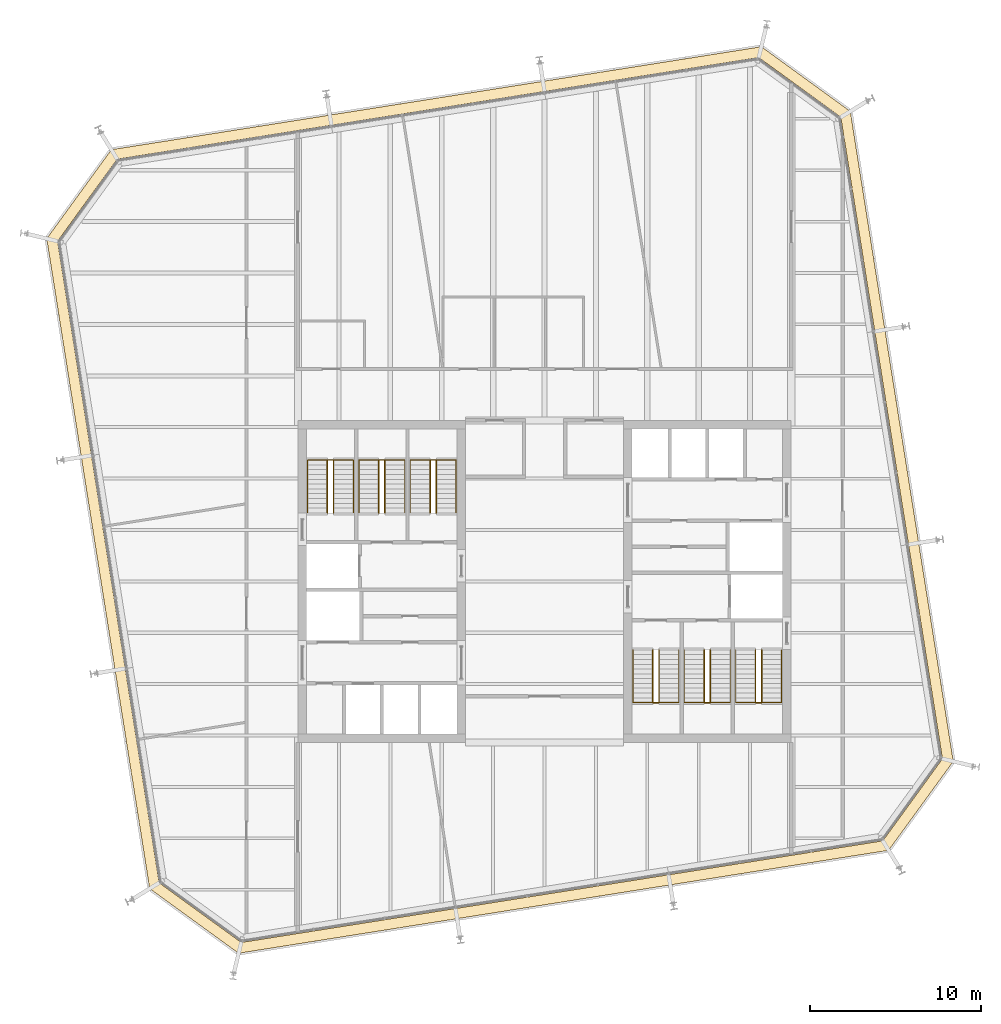
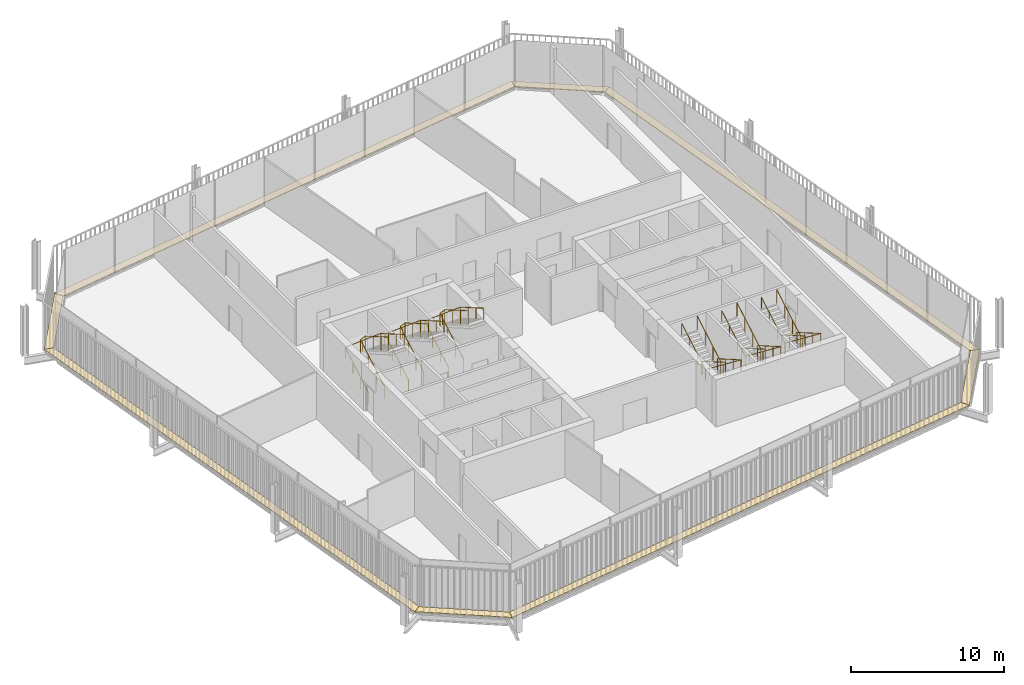
# One storey, part 20 of 20: 12 railings, 8 coverings.
"""IFC4 building model written with IfcOpenShell, lengths in metres."""

from ifc_helpers import new_model, si_unit, direction, frame, origin, origin_2d, place, context, subcontext, project, spatial, polyline, circle, outline, extrude, material, layer, layer_set, type_object, element, save


model = new_model("IFC4")

# Units and contexts
model_context = context("Model", 3, precision=1e-05, world=origin(), true_north=direction((0.0, 1.0)))
body_context = subcontext(model_context, "Body", "Model", "MODEL_VIEW")
ifc_project = project(units=[si_unit("LENGTHUNIT", "METRE"), si_unit("AREAUNIT", "SQUARE_METRE"), si_unit("VOLUMEUNIT", "CUBIC_METRE"), si_unit("PLANEANGLEUNIT", "RADIAN"), si_unit("MASSUNIT", "GRAM", prefix="KILO")], contexts=[model_context])

# Site, building, storey
site_placement = place(None, origin())
site = spatial("IfcSite", under=ifc_project, at=site_placement, CompositionType="ELEMENT")
building_placement = place(site_placement, origin())
building = spatial("IfcBuilding", under=site, at=building_placement, Name="Millrace Tower", CompositionType="ELEMENT")
storey_placement = place(building_placement, frame((0.0, 0.0, 208.60009765625)))
storey = spatial("IfcBuildingStorey", under=building, at=storey_placement, Name="L47", CompositionType="ELEMENT", Elevation=208.60009765625)

# Coverings
ifc_material_1 = material(Name="Steel ASTM A36", Category="steel")
ifc_layer = layer(ifc_material_1, 0.050048828125)
ifc_layer_set = layer_set([ifc_layer], Name="Steel ASTM A36")
covering_type = type_object("IfcCoveringType", Name="CAVITY CATWALK steel grating", PredefinedType="FLOORING", material=ifc_layer_set)
placement = place(storey_placement, frame((0.0, 0.0, 0.099853515625)))
element("IfcCovering", 1, at=placement, inside=storey, type_object=covering_type, Name="Cavity catwalk grating D-F01 L47 1", PredefinedType="FLOORING", context=body_context, shape_type="SweptSolid", body=[
    extrude(outline(polyline([(-23.052490234375, -17.939453125), (-17.85888671875, -21.712890625), (-17.707275390625, -21.081298828125), (-22.49853515625, -17.60009765625), (-23.052490234375, -17.939453125)])), origin(), (0.0, 0.0, 1.0), 0.050048828125),
])
element("IfcCovering", 2, at=placement, inside=storey, type_object=covering_type, Name="Cavity catwalk grating D-F02 L47 1", PredefinedType="FLOORING", context=body_context, shape_type="SweptSolid", body=[
    extrude(outline(polyline([(-17.85888671875, -21.712890625), (20.08935546875, -15.702392578125), (19.750244140625, -15.148681640625), (-17.707275390625, -21.081298828125), (-17.85888671875, -21.712890625)])), origin(), (0.0, 0.0, 1.0), 0.050048828125),
])
element("IfcCovering", 3, at=placement, inside=storey, type_object=covering_type, Name="Cavity catwalk grating D-F03 L47 1", PredefinedType="FLOORING", context=body_context, shape_type="SweptSolid", body=[
    extrude(outline(polyline([(20.08935546875, -15.702392578125), (23.86279296875, -10.5087890625), (23.231201171875, -10.357177734375), (19.750244140625, -15.148681640625), (20.08935546875, -15.702392578125)])), origin(), (0.0, 0.0, 1.0), 0.050048828125),
])
element("IfcCovering", 4, at=placement, inside=storey, type_object=covering_type, Name="Cavity catwalk grating D-F04 L47 1", PredefinedType="FLOORING", context=body_context, shape_type="SweptSolid", body=[
    extrude(outline(polyline([(23.86279296875, -10.5087890625), (17.852294921875, 27.439453125), (17.298583984375, 27.10009765625), (23.231201171875, -10.357177734375), (23.86279296875, -10.5087890625)])), origin(), (0.0, 0.0, 1.0), 0.050048828125),
])
element("IfcCovering", 5, at=placement, inside=storey, type_object=covering_type, Name="Cavity catwalk grating D-F05 L47 1", PredefinedType="FLOORING", context=body_context, shape_type="SweptSolid", body=[
    extrude(outline(polyline([(17.852294921875, 27.439453125), (12.658935546875, 31.212890625), (12.50732421875, 30.581298828125), (17.298583984375, 27.10009765625), (17.852294921875, 27.439453125)])), origin(), (0.0, 0.0, 1.0), 0.050048828125),
])
element("IfcCovering", 6, at=placement, inside=storey, type_object=covering_type, Name="Cavity catwalk grating D-F06 L47 1", PredefinedType="FLOORING", context=body_context, shape_type="SweptSolid", body=[
    extrude(outline(polyline([(12.658935546875, 31.212890625), (-25.28955078125, 25.202392578125), (-24.9501953125, 24.648681640625), (12.50732421875, 30.581298828125), (12.658935546875, 31.212890625)])), origin(), (0.0, 0.0, 1.0), 0.050048828125),
])
element("IfcCovering", 7, at=placement, inside=storey, type_object=covering_type, Name="Cavity catwalk grating D-F07 L47 1", PredefinedType="FLOORING", context=body_context, shape_type="SweptSolid", body=[
    extrude(outline(polyline([(-25.28955078125, 25.202392578125), (-29.062744140625, 20.0087890625), (-28.431396484375, 19.857177734375), (-24.9501953125, 24.648681640625), (-25.28955078125, 25.202392578125)])), origin(), (0.0, 0.0, 1.0), 0.050048828125),
])
element("IfcCovering", 8, at=placement, inside=storey, type_object=covering_type, Name="Cavity catwalk grating D-F08 L47 1", PredefinedType="FLOORING", context=body_context, shape_type="SweptSolid", body=[
    extrude(outline(polyline([(-29.062744140625, 20.0087890625), (-23.052490234375, -17.939453125), (-22.49853515625, -17.60009765625), (-28.431396484375, 19.857177734375), (-29.062744140625, 20.0087890625)])), origin(), (0.0, 0.0, 1.0), 0.050048828125),
])

# Railings
ifc_material_2 = material(Name="Stainless steel ASTM A240 type 316", Category="steel")
railing_type_1 = type_object("IfcRailingType", Name="Stair guard 1100", PredefinedType="GUARDRAIL", material=ifc_material_2)
for number, where, name in (
    (9, (-12.679931640625, 4.0, 0.162353515625), "Stair guard 1 W L47"),
    (10, (-9.679931640625, 4.0, 0.162353515625), "Stair guard 2 W L47"),
    (11, (-6.679931640625, 4.0, 0.162353515625), "Stair guard 3 W L47"),
):
    element("IfcRailing", number, at=place(storey_placement, frame(where)), inside=storey, type_object=railing_type_1, Name=name, PredefinedType="GUARDRAIL", context=body_context, shape_type="SweptSolid", body=[
        extrude(circle(Radius=0.02392578125, at=origin_2d()), frame((0.0, 0.0, 1.076171875), z_axis=(0.0, 0.864890721111, 0.501960198159), x_axis=(-1.0, 0.0, 0.0)), (0.0, 0.0, 1.0), 3.561279296875),
        extrude(circle(Radius=0.02392578125, at=origin_2d()), frame((0.0, 3.080078125, 2.86376953125), z_axis=(0.91152767309, 0.0, 0.411238739895), x_axis=(0.0, 1.0, 0.0)), (0.0, 0.0, 1.0), 0.394775390625),
        extrude(circle(Radius=0.02392578125, at=origin_2d()), frame((0.35986328125, 3.080078125, 3.02587890625), z_axis=(0.0, -0.864890721111, 0.501960198159), x_axis=(1.0, 0.0, 0.0)), (0.0, 0.0, 1.0), 3.561279296875),
        extrude(circle(Radius=0.02099609375, at=origin_2d()), origin(), (0.0, 0.0, 1.0), 1.052001953125),
        extrude(circle(Radius=0.02099609375, at=origin_2d()), frame((0.0, 1.026611328125, 0.595947265625)), (0.0, 0.0, 1.0), 1.052001953125),
        extrude(circle(Radius=0.02099609375, at=origin_2d()), frame((0.0, 2.053466796875, 1.191650390625)), (0.0, 0.0, 1.0), 1.052001953125),
        extrude(circle(Radius=0.02099609375, at=origin_2d()), frame((0.0, 3.080078125, 1.78759765625)), (0.0, 0.0, 1.0), 1.052001953125),
        extrude(circle(Radius=0.02099609375, at=origin_2d()), frame((0.35986328125, 3.080078125, 1.949951171875)), (0.0, 0.0, 1.0), 1.052001953125),
        extrude(circle(Radius=0.02099609375, at=origin_2d()), frame((0.35986328125, 2.053466796875, 2.5458984375)), (0.0, 0.0, 1.0), 1.052001953125),
        extrude(circle(Radius=0.02099609375, at=origin_2d()), frame((0.35986328125, 1.026611328125, 3.1416015625)), (0.0, 0.0, 1.0), 1.052001953125),
        extrude(circle(Radius=0.02099609375, at=origin_2d()), frame((0.35986328125, 0.0, 3.737548828125)), (0.0, 0.0, 1.0), 1.052001953125),
    ])
for number, where, name in (
    (12, (12.679931640625, -4.0, 0.162353515625), "Stair guard 1 E L47"),
    (13, (9.679931640625, -4.0, 0.162353515625), "Stair guard 2 E L47"),
    (14, (6.679931640625, -4.0, 0.162353515625), "Stair guard 3 E L47"),
):
    element("IfcRailing", number, at=place(storey_placement, frame(where)), inside=storey, type_object=railing_type_1, Name=name, PredefinedType="GUARDRAIL", context=body_context, shape_type="SweptSolid", body=[
        extrude(circle(Radius=0.02392578125, at=origin_2d()), frame((0.0, 0.0, 1.076171875), z_axis=(0.0, -0.864890721111, 0.501960198159), x_axis=(1.0, 0.0, 0.0)), (0.0, 0.0, 1.0), 3.561279296875),
        extrude(circle(Radius=0.02392578125, at=origin_2d()), frame((0.0, -3.080078125, 2.86376953125), z_axis=(-0.91152767309, 0.0, 0.411238739895), x_axis=(0.0, -1.0, 0.0)), (0.0, 0.0, 1.0), 0.394775390625),
        extrude(circle(Radius=0.02392578125, at=origin_2d()), frame((-0.35986328125, -3.080078125, 3.02587890625), z_axis=(0.0, 0.864890721111, 0.501960198159), x_axis=(-1.0, 0.0, 0.0)), (0.0, 0.0, 1.0), 3.561279296875),
        extrude(circle(Radius=0.02099609375, at=origin_2d()), origin(), (0.0, 0.0, 1.0), 1.052001953125),
        extrude(circle(Radius=0.02099609375, at=origin_2d()), frame((0.0, -1.026611328125, 0.595947265625)), (0.0, 0.0, 1.0), 1.052001953125),
        extrude(circle(Radius=0.02099609375, at=origin_2d()), frame((0.0, -2.053466796875, 1.191650390625)), (0.0, 0.0, 1.0), 1.052001953125),
        extrude(circle(Radius=0.02099609375, at=origin_2d()), frame((0.0, -3.080078125, 1.78759765625)), (0.0, 0.0, 1.0), 1.052001953125),
        extrude(circle(Radius=0.02099609375, at=origin_2d()), frame((-0.35986328125, -3.080078125, 1.949951171875)), (0.0, 0.0, 1.0), 1.052001953125),
        extrude(circle(Radius=0.02099609375, at=origin_2d()), frame((-0.35986328125, -2.053466796875, 2.5458984375)), (0.0, 0.0, 1.0), 1.052001953125),
        extrude(circle(Radius=0.02099609375, at=origin_2d()), frame((-0.35986328125, -1.026611328125, 3.1416015625)), (0.0, 0.0, 1.0), 1.052001953125),
        extrude(circle(Radius=0.02099609375, at=origin_2d()), frame((-0.35986328125, 0.0, 3.737548828125)), (0.0, 0.0, 1.0), 1.052001953125),
    ])
ifc_material_3 = material(Name="Stainless steel ASTM A240 type 316", Category="steel")
railing_type_2 = type_object("IfcRailingType", Name="Stair handrail 900", PredefinedType="HANDRAIL", material=ifc_material_3)
railing_1_placement = place(storey_placement, frame((-13.840087890625, 4.0, 0.162353515625)))
element("IfcRailing", 15, at=railing_1_placement, inside=storey, type_object=railing_type_2, Name="Stair handrail 1 W L47", PredefinedType="HANDRAIL", context=body_context, shape_type="SweptSolid", body=[
    extrude(circle(Radius=0.02392578125, at=origin_2d()), frame((0.0, 0.0, 0.8759765625), z_axis=(0.0, 0.864890721111, 0.501960198159), x_axis=(-1.0, 0.0, 0.0)), (0.0, 0.0, 1.0), 3.561279296875),
    extrude(circle(Radius=0.02392578125, at=origin_2d()), frame((0.0, 3.080078125, 2.66357421875), z_axis=(0.998170326313, 0.0, 0.06046486309), x_axis=(0.0, 1.0, 0.0)), (0.0, 0.0, 1.0), 2.68505859375),
    extrude(circle(Radius=0.02392578125, at=origin_2d()), frame((2.68017578125, 3.080078125, 2.82568359375), z_axis=(0.0, -0.864890721111, 0.501960198159), x_axis=(1.0, 0.0, 0.0)), (0.0, 0.0, 1.0), 3.561279296875),
    extrude(circle(Radius=0.02099609375, at=origin_2d()), origin(), (0.0, 0.0, 1.0), 0.851806640625),
    extrude(circle(Radius=0.02099609375, at=origin_2d()), frame((0.0, 1.026611328125, 0.595947265625)), (0.0, 0.0, 1.0), 0.851806640625),
    extrude(circle(Radius=0.02099609375, at=origin_2d()), frame((0.0, 2.053466796875, 1.191650390625)), (0.0, 0.0, 1.0), 0.851806640625),
    extrude(circle(Radius=0.02099609375, at=origin_2d()), frame((0.0, 3.080078125, 1.78759765625)), (0.0, 0.0, 1.0), 0.851806640625),
    extrude(circle(Radius=0.02099609375, at=origin_2d()), frame((1.340087890625, 3.080078125, 1.86865234375)), (0.0, 0.0, 1.0), 0.851806640625),
    extrude(circle(Radius=0.02099609375, at=origin_2d()), frame((2.68017578125, 3.080078125, 1.949951171875)), (0.0, 0.0, 1.0), 0.851806640625),
    extrude(circle(Radius=0.02099609375, at=origin_2d()), frame((2.68017578125, 2.053466796875, 2.5458984375)), (0.0, 0.0, 1.0), 0.851806640625),
    extrude(circle(Radius=0.02099609375, at=origin_2d()), frame((2.68017578125, 1.026611328125, 3.1416015625)), (0.0, 0.0, 1.0), 0.851806640625),
    extrude(circle(Radius=0.02099609375, at=origin_2d()), frame((2.68017578125, 0.0, 3.737548828125)), (0.0, 0.0, 1.0), 0.851806640625),
])
railing_2_placement = place(storey_placement, frame((-10.840087890625, 4.0, 0.162353515625)))
element("IfcRailing", 16, at=railing_2_placement, inside=storey, type_object=railing_type_2, Name="Stair handrail 2 W L47", PredefinedType="HANDRAIL", context=body_context, shape_type="SweptSolid", body=[
    extrude(circle(Radius=0.02392578125, at=origin_2d()), frame((0.0, 0.0, 0.8759765625), z_axis=(0.0, 0.864890721111, 0.501960198159), x_axis=(-1.0, 0.0, 0.0)), (0.0, 0.0, 1.0), 3.561279296875),
    extrude(circle(Radius=0.02392578125, at=origin_2d()), frame((0.0, 3.080078125, 2.66357421875), z_axis=(0.998170326313, 0.0, 0.06046486309), x_axis=(0.0, 1.0, 0.0)), (0.0, 0.0, 1.0), 2.68505859375),
    extrude(circle(Radius=0.02392578125, at=origin_2d()), frame((2.68017578125, 3.080078125, 2.82568359375), z_axis=(0.0, -0.864890721111, 0.501960198159), x_axis=(1.0, 0.0, 0.0)), (0.0, 0.0, 1.0), 3.561279296875),
    extrude(circle(Radius=0.02099609375, at=origin_2d()), origin(), (0.0, 0.0, 1.0), 0.851806640625),
    extrude(circle(Radius=0.02099609375, at=origin_2d()), frame((0.0, 1.026611328125, 0.595947265625)), (0.0, 0.0, 1.0), 0.851806640625),
    extrude(circle(Radius=0.02099609375, at=origin_2d()), frame((0.0, 2.053466796875, 1.191650390625)), (0.0, 0.0, 1.0), 0.851806640625),
    extrude(circle(Radius=0.02099609375, at=origin_2d()), frame((0.0, 3.080078125, 1.78759765625)), (0.0, 0.0, 1.0), 0.851806640625),
    extrude(circle(Radius=0.02099609375, at=origin_2d()), frame((1.340087890625, 3.080078125, 1.86865234375)), (0.0, 0.0, 1.0), 0.851806640625),
    extrude(circle(Radius=0.02099609375, at=origin_2d()), frame((2.68017578125, 3.080078125, 1.949951171875)), (0.0, 0.0, 1.0), 0.851806640625),
    extrude(circle(Radius=0.02099609375, at=origin_2d()), frame((2.68017578125, 2.053466796875, 2.5458984375)), (0.0, 0.0, 1.0), 0.851806640625),
    extrude(circle(Radius=0.02099609375, at=origin_2d()), frame((2.68017578125, 1.026611328125, 3.1416015625)), (0.0, 0.0, 1.0), 0.851806640625),
    extrude(circle(Radius=0.02099609375, at=origin_2d()), frame((2.68017578125, 0.0, 3.737548828125)), (0.0, 0.0, 1.0), 0.851806640625),
])
railing_3_placement = place(storey_placement, frame((-7.840087890625, 4.0, 0.162353515625)))
element("IfcRailing", 17, at=railing_3_placement, inside=storey, type_object=railing_type_2, Name="Stair handrail 3 W L47", PredefinedType="HANDRAIL", context=body_context, shape_type="SweptSolid", body=[
    extrude(circle(Radius=0.02392578125, at=origin_2d()), frame((0.0, 0.0, 0.8759765625), z_axis=(0.0, 0.864890721111, 0.501960198159), x_axis=(-1.0, 0.0, 0.0)), (0.0, 0.0, 1.0), 3.561279296875),
    extrude(circle(Radius=0.02392578125, at=origin_2d()), frame((0.0, 3.080078125, 2.66357421875), z_axis=(0.998170326313, 0.0, 0.06046486309), x_axis=(0.0, 1.0, 0.0)), (0.0, 0.0, 1.0), 2.68505859375),
    extrude(circle(Radius=0.02392578125, at=origin_2d()), frame((2.68017578125, 3.080078125, 2.82568359375), z_axis=(0.0, -0.864890721111, 0.501960198159), x_axis=(1.0, 0.0, 0.0)), (0.0, 0.0, 1.0), 3.561279296875),
    extrude(circle(Radius=0.02099609375, at=origin_2d()), origin(), (0.0, 0.0, 1.0), 0.851806640625),
    extrude(circle(Radius=0.02099609375, at=origin_2d()), frame((0.0, 1.026611328125, 0.595947265625)), (0.0, 0.0, 1.0), 0.851806640625),
    extrude(circle(Radius=0.02099609375, at=origin_2d()), frame((0.0, 2.053466796875, 1.191650390625)), (0.0, 0.0, 1.0), 0.851806640625),
    extrude(circle(Radius=0.02099609375, at=origin_2d()), frame((0.0, 3.080078125, 1.78759765625)), (0.0, 0.0, 1.0), 0.851806640625),
    extrude(circle(Radius=0.02099609375, at=origin_2d()), frame((1.340087890625, 3.080078125, 1.86865234375)), (0.0, 0.0, 1.0), 0.851806640625),
    extrude(circle(Radius=0.02099609375, at=origin_2d()), frame((2.68017578125, 3.080078125, 1.949951171875)), (0.0, 0.0, 1.0), 0.851806640625),
    extrude(circle(Radius=0.02099609375, at=origin_2d()), frame((2.68017578125, 2.053466796875, 2.5458984375)), (0.0, 0.0, 1.0), 0.851806640625),
    extrude(circle(Radius=0.02099609375, at=origin_2d()), frame((2.68017578125, 1.026611328125, 3.1416015625)), (0.0, 0.0, 1.0), 0.851806640625),
    extrude(circle(Radius=0.02099609375, at=origin_2d()), frame((2.68017578125, 0.0, 3.737548828125)), (0.0, 0.0, 1.0), 0.851806640625),
])
railing_4_placement = place(storey_placement, frame((13.840087890625, -4.0, 0.162353515625)))
element("IfcRailing", 18, at=railing_4_placement, inside=storey, type_object=railing_type_2, Name="Stair handrail 1 E L47", PredefinedType="HANDRAIL", context=body_context, shape_type="SweptSolid", body=[
    extrude(circle(Radius=0.02392578125, at=origin_2d()), frame((0.0, 0.0, 0.8759765625), z_axis=(0.0, -0.864890721111, 0.501960198159), x_axis=(1.0, 0.0, 0.0)), (0.0, 0.0, 1.0), 3.561279296875),
    extrude(circle(Radius=0.02392578125, at=origin_2d()), frame((0.0, -3.080078125, 2.66357421875), z_axis=(-0.998170326313, 0.0, 0.06046486309), x_axis=(0.0, -1.0, 0.0)), (0.0, 0.0, 1.0), 2.68505859375),
    extrude(circle(Radius=0.02392578125, at=origin_2d()), frame((-2.68017578125, -3.080078125, 2.82568359375), z_axis=(0.0, 0.864890721111, 0.501960198159), x_axis=(-1.0, 0.0, 0.0)), (0.0, 0.0, 1.0), 3.561279296875),
    extrude(circle(Radius=0.02099609375, at=origin_2d()), origin(), (0.0, 0.0, 1.0), 0.851806640625),
    extrude(circle(Radius=0.02099609375, at=origin_2d()), frame((0.0, -1.026611328125, 0.595947265625)), (0.0, 0.0, 1.0), 0.851806640625),
    extrude(circle(Radius=0.02099609375, at=origin_2d()), frame((0.0, -2.053466796875, 1.191650390625)), (0.0, 0.0, 1.0), 0.851806640625),
    extrude(circle(Radius=0.02099609375, at=origin_2d()), frame((0.0, -3.080078125, 1.78759765625)), (0.0, 0.0, 1.0), 0.851806640625),
    extrude(circle(Radius=0.02099609375, at=origin_2d()), frame((-1.340087890625, -3.080078125, 1.86865234375)), (0.0, 0.0, 1.0), 0.851806640625),
    extrude(circle(Radius=0.02099609375, at=origin_2d()), frame((-2.68017578125, -3.080078125, 1.949951171875)), (0.0, 0.0, 1.0), 0.851806640625),
    extrude(circle(Radius=0.02099609375, at=origin_2d()), frame((-2.68017578125, -2.053466796875, 2.5458984375)), (0.0, 0.0, 1.0), 0.851806640625),
    extrude(circle(Radius=0.02099609375, at=origin_2d()), frame((-2.68017578125, -1.026611328125, 3.1416015625)), (0.0, 0.0, 1.0), 0.851806640625),
    extrude(circle(Radius=0.02099609375, at=origin_2d()), frame((-2.68017578125, 0.0, 3.737548828125)), (0.0, 0.0, 1.0), 0.851806640625),
])
railing_5_placement = place(storey_placement, frame((10.840087890625, -4.0, 0.162353515625)))
element("IfcRailing", 19, at=railing_5_placement, inside=storey, type_object=railing_type_2, Name="Stair handrail 2 E L47", PredefinedType="HANDRAIL", context=body_context, shape_type="SweptSolid", body=[
    extrude(circle(Radius=0.02392578125, at=origin_2d()), frame((0.0, 0.0, 0.8759765625), z_axis=(0.0, -0.864890721111, 0.501960198159), x_axis=(1.0, 0.0, 0.0)), (0.0, 0.0, 1.0), 3.561279296875),
    extrude(circle(Radius=0.02392578125, at=origin_2d()), frame((0.0, -3.080078125, 2.66357421875), z_axis=(-0.998170326313, 0.0, 0.06046486309), x_axis=(0.0, -1.0, 0.0)), (0.0, 0.0, 1.0), 2.68505859375),
    extrude(circle(Radius=0.02392578125, at=origin_2d()), frame((-2.68017578125, -3.080078125, 2.82568359375), z_axis=(0.0, 0.864890721111, 0.501960198159), x_axis=(-1.0, 0.0, 0.0)), (0.0, 0.0, 1.0), 3.561279296875),
    extrude(circle(Radius=0.02099609375, at=origin_2d()), origin(), (0.0, 0.0, 1.0), 0.851806640625),
    extrude(circle(Radius=0.02099609375, at=origin_2d()), frame((0.0, -1.026611328125, 0.595947265625)), (0.0, 0.0, 1.0), 0.851806640625),
    extrude(circle(Radius=0.02099609375, at=origin_2d()), frame((0.0, -2.053466796875, 1.191650390625)), (0.0, 0.0, 1.0), 0.851806640625),
    extrude(circle(Radius=0.02099609375, at=origin_2d()), frame((0.0, -3.080078125, 1.78759765625)), (0.0, 0.0, 1.0), 0.851806640625),
    extrude(circle(Radius=0.02099609375, at=origin_2d()), frame((-1.340087890625, -3.080078125, 1.86865234375)), (0.0, 0.0, 1.0), 0.851806640625),
    extrude(circle(Radius=0.02099609375, at=origin_2d()), frame((-2.68017578125, -3.080078125, 1.949951171875)), (0.0, 0.0, 1.0), 0.851806640625),
    extrude(circle(Radius=0.02099609375, at=origin_2d()), frame((-2.68017578125, -2.053466796875, 2.5458984375)), (0.0, 0.0, 1.0), 0.851806640625),
    extrude(circle(Radius=0.02099609375, at=origin_2d()), frame((-2.68017578125, -1.026611328125, 3.1416015625)), (0.0, 0.0, 1.0), 0.851806640625),
    extrude(circle(Radius=0.02099609375, at=origin_2d()), frame((-2.68017578125, 0.0, 3.737548828125)), (0.0, 0.0, 1.0), 0.851806640625),
])
railing_6_placement = place(storey_placement, frame((7.840087890625, -4.0, 0.162353515625)))
element("IfcRailing", 20, at=railing_6_placement, inside=storey, type_object=railing_type_2, Name="Stair handrail 3 E L47", PredefinedType="HANDRAIL", context=body_context, shape_type="SweptSolid", body=[
    extrude(circle(Radius=0.02392578125, at=origin_2d()), frame((0.0, 0.0, 0.8759765625), z_axis=(0.0, -0.864890721111, 0.501960198159), x_axis=(1.0, 0.0, 0.0)), (0.0, 0.0, 1.0), 3.561279296875),
    extrude(circle(Radius=0.02392578125, at=origin_2d()), frame((0.0, -3.080078125, 2.66357421875), z_axis=(-0.998170326313, 0.0, 0.06046486309), x_axis=(0.0, -1.0, 0.0)), (0.0, 0.0, 1.0), 2.68505859375),
    extrude(circle(Radius=0.02392578125, at=origin_2d()), frame((-2.68017578125, -3.080078125, 2.82568359375), z_axis=(0.0, 0.864890721111, 0.501960198159), x_axis=(-1.0, 0.0, 0.0)), (0.0, 0.0, 1.0), 3.561279296875),
    extrude(circle(Radius=0.02099609375, at=origin_2d()), origin(), (0.0, 0.0, 1.0), 0.851806640625),
    extrude(circle(Radius=0.02099609375, at=origin_2d()), frame((0.0, -1.026611328125, 0.595947265625)), (0.0, 0.0, 1.0), 0.851806640625),
    extrude(circle(Radius=0.02099609375, at=origin_2d()), frame((0.0, -2.053466796875, 1.191650390625)), (0.0, 0.0, 1.0), 0.851806640625),
    extrude(circle(Radius=0.02099609375, at=origin_2d()), frame((0.0, -3.080078125, 1.78759765625)), (0.0, 0.0, 1.0), 0.851806640625),
    extrude(circle(Radius=0.02099609375, at=origin_2d()), frame((-1.340087890625, -3.080078125, 1.86865234375)), (0.0, 0.0, 1.0), 0.851806640625),
    extrude(circle(Radius=0.02099609375, at=origin_2d()), frame((-2.68017578125, -3.080078125, 1.949951171875)), (0.0, 0.0, 1.0), 0.851806640625),
    extrude(circle(Radius=0.02099609375, at=origin_2d()), frame((-2.68017578125, -2.053466796875, 2.5458984375)), (0.0, 0.0, 1.0), 0.851806640625),
    extrude(circle(Radius=0.02099609375, at=origin_2d()), frame((-2.68017578125, -1.026611328125, 3.1416015625)), (0.0, 0.0, 1.0), 0.851806640625),
    extrude(circle(Radius=0.02099609375, at=origin_2d()), frame((-2.68017578125, 0.0, 3.737548828125)), (0.0, 0.0, 1.0), 0.851806640625),
])

save(model, "model.ifc")
